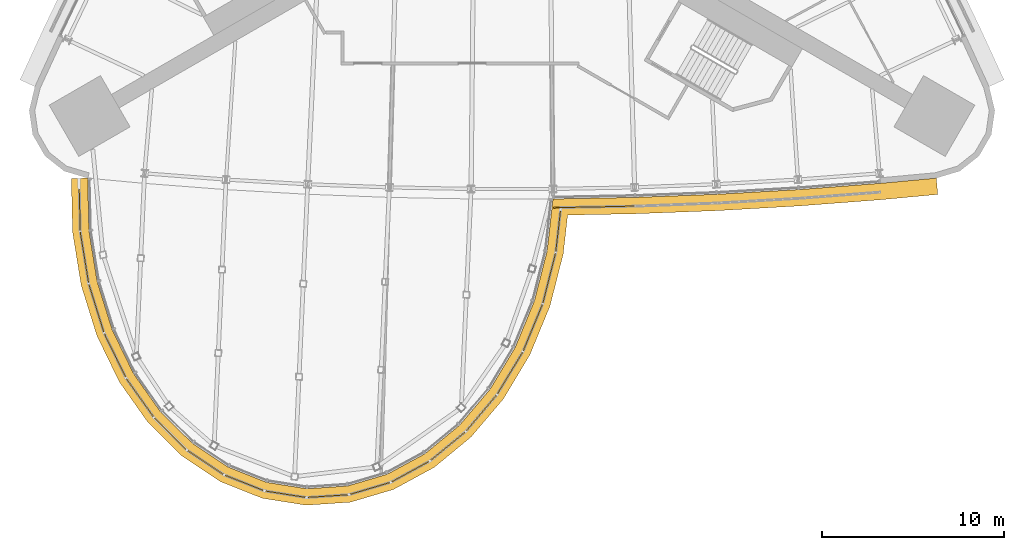
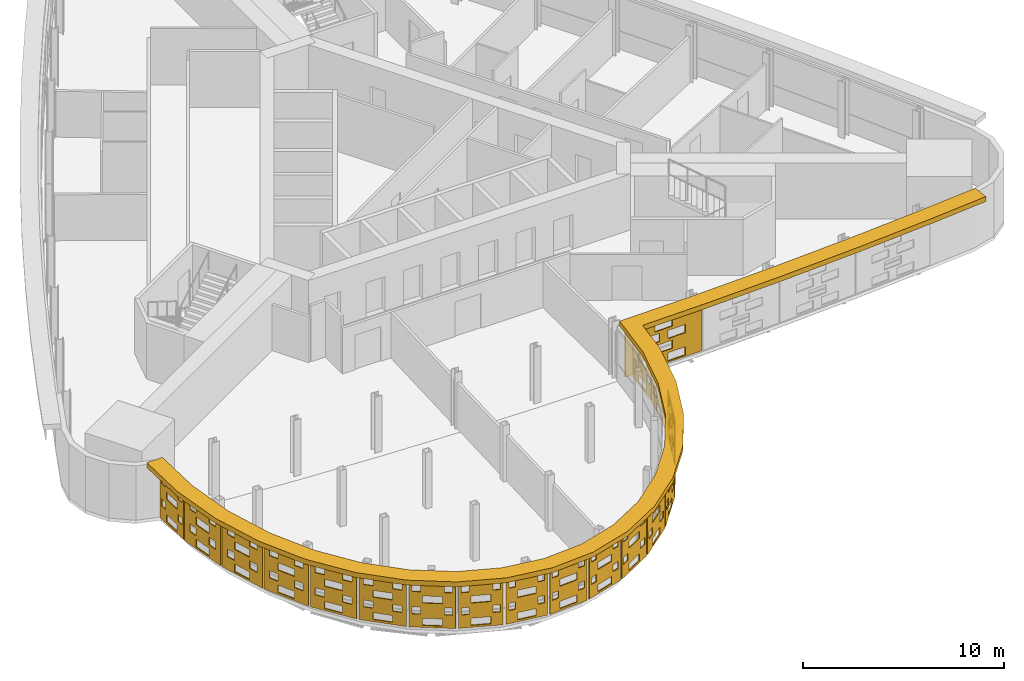
# One storey, part 14 of 16: 20 shading devices.
"""IFC4 building model written with IfcOpenShell, lengths in metres."""

from ifc_helpers import new_model, si_unit, direction, frame, origin, place, context, subcontext, project, spatial, polyline, outline, extrude, material, layer, layer_set, material_profile, profile_set, type_object, element, save


model = new_model("IFC4")

# Units and contexts
model_context = context("Model", 3, precision=1e-05, world=origin(), true_north=direction((0.0, 1.0)))
body_context = subcontext(model_context, "Body", "Model", "MODEL_VIEW")
ifc_project = project(units=[si_unit("LENGTHUNIT", "METRE"), si_unit("AREAUNIT", "SQUARE_METRE"), si_unit("VOLUMEUNIT", "CUBIC_METRE"), si_unit("PLANEANGLEUNIT", "RADIAN"), si_unit("MASSUNIT", "GRAM", prefix="KILO")], contexts=[model_context])

# Site, building, storey
site_placement = place(None, origin())
site = spatial("IfcSite", under=ifc_project, at=site_placement, CompositionType="ELEMENT")
building_placement = place(site_placement, origin())
building = spatial("IfcBuilding", under=site, at=building_placement, Name="Noor Cloister Tower", CompositionType="ELEMENT")
storey_placement = place(building_placement, frame((0.0, 0.0, 61.800048828125)))
storey = spatial("IfcBuildingStorey", under=building, at=storey_placement, Name="L15", CompositionType="ELEMENT", Elevation=61.800048828125)

# Shading devices
ifc_material_1 = material(Name="Limestone", Category="masonry")
ifc_material_profile = material_profile(ifc_material_1, outline(polyline([(-2.22998046875, -1.35009765625), (2.22998046875, -1.35009765625), (2.22998046875, 1.35009765625), (-2.22998046875, 1.35009765625), (-2.22998046875, -1.35009765625)]), holes=[polyline([(-1.25, -1.263427734375), (-0.25, -1.263427734375), (-0.25, -0.76171875), (-1.25, -0.76171875), (-1.25, -1.263427734375)]), polyline([(0.25, -1.263427734375), (1.25, -1.263427734375), (1.25, -0.76171875), (0.25, -0.76171875), (0.25, -1.263427734375)]), polyline([(-0.5, -0.58837890625), (0.5, -0.58837890625), (0.5, -0.086669921875), (-0.5, -0.086669921875), (-0.5, -0.58837890625)]), polyline([(-1.25, 0.086669921875), (-0.25, 0.086669921875), (-0.25, 0.58837890625), (-1.25, 0.58837890625), (-1.25, 0.086669921875)]), polyline([(0.25, 0.086669921875), (1.25, 0.086669921875), (1.25, 0.58837890625), (0.25, 0.58837890625), (0.25, 0.086669921875)]), polyline([(-0.5, 0.76171875), (0.5, 0.76171875), (0.5, 1.263427734375), (-0.5, 1.263427734375), (-0.5, 0.76171875)])]), Name="Woven screen 25 percent open")
ifc_profile_set = profile_set([ifc_material_profile], Name="Limestone")
shading_device_type_1 = type_object("IfcShadingDeviceType", Name="SCREEN woven limestone 25 percent open", PredefinedType="USERDEFINED", material=ifc_profile_set)
shading_device_1_placement = place(storey_placement, frame((4.508056640625, -18.35107421875, 1.849853515625), z_axis=(0.020321006241, -0.999793507033, 0.0), x_axis=(0.999793507033, 0.020321006241, 0.0)))
element("IfcShadingDevice", 1, at=shading_device_1_placement, inside=storey, type_object=shading_device_type_1, Name="SCREEN L15 19", ObjectType="SCREEN", PredefinedType="USERDEFINED", context=body_context, shape_type="SweptSolid", body=[
    extrude(outline(polyline([(-2.22998046875, -1.35009765625), (2.22998046875, -1.35009765625), (2.22998046875, 1.35009765625), (-2.22998046875, 1.35009765625), (-2.22998046875, -1.35009765625)]), holes=[polyline([(-1.25, -1.263427734375), (-0.25, -1.263427734375), (-0.25, -0.76171875), (-1.25, -0.76171875), (-1.25, -1.263427734375)]), polyline([(0.25, -1.263427734375), (1.25, -1.263427734375), (1.25, -0.76171875), (0.25, -0.76171875), (0.25, -1.263427734375)]), polyline([(-0.5, -0.58837890625), (0.5, -0.58837890625), (0.5, -0.086669921875), (-0.5, -0.086669921875), (-0.5, -0.58837890625)]), polyline([(-1.25, 0.086669921875), (-0.25, 0.086669921875), (-0.25, 0.58837890625), (-1.25, 0.58837890625), (-1.25, 0.086669921875)]), polyline([(0.25, 0.086669921875), (1.25, 0.086669921875), (1.25, 0.58837890625), (0.25, 0.58837890625), (0.25, 0.086669921875)]), polyline([(-0.5, 0.76171875), (0.5, 0.76171875), (0.5, 1.263427734375), (-0.5, 1.263427734375), (-0.5, 0.76171875)])]), origin(), (0.0, 0.0, 1.0), 0.06005859375),
])
ifc_material_2 = material(Name="Limestone", Category="masonry")
ifc_layer = layer(ifc_material_2, 0.06005859375)
ifc_layer_set = layer_set([ifc_layer], Name="SCREEN woven limestone pod 25 percent open")
shading_device_type_2 = type_object("IfcShadingDeviceType", Name="SCREEN woven limestone pod 25 percent open", PredefinedType="USERDEFINED", material=ifc_layer_set)
shading_device_2_placement = place(storey_placement, frame((-23.707275390625, -18.546142578125, 1.849853515625), z_axis=(-0.999702690643, -0.024382992455, 0.0), x_axis=(0.024382992455, -0.999702690643, 0.0)))
element("IfcShadingDevice", 2, at=shading_device_2_placement, inside=storey, type_object=shading_device_type_2, Name="SCREEN L15 1", ObjectType="SCREEN", PredefinedType="USERDEFINED", context=body_context, shape_type="SweptSolid", body=[
    extrude(outline(polyline([(-1.115966796875, -1.35009765625), (1.115966796875, -1.35009765625), (1.115966796875, 1.35009765625), (-1.115966796875, 1.35009765625), (-1.115966796875, -1.35009765625)]), holes=[polyline([(-0.5, -1.22998046875), (0.5, -1.22998046875), (0.5, -0.794921875), (-0.5, -0.794921875), (-0.5, -1.22998046875)]), polyline([(0.60009765625, -0.554931640625), (0.9658203125, -0.554931640625), (0.9658203125, -0.1201171875), (0.60009765625, -0.1201171875), (0.60009765625, -0.554931640625)]), polyline([(-0.9658203125, -0.554931640625), (-0.60009765625, -0.554931640625), (-0.60009765625, -0.1201171875), (-0.9658203125, -0.1201171875), (-0.9658203125, -0.554931640625)]), polyline([(-0.5, 0.1201171875), (0.5, 0.1201171875), (0.5, 0.554931640625), (-0.5, 0.554931640625), (-0.5, 0.1201171875)]), polyline([(0.60009765625, 0.794921875), (0.9658203125, 0.794921875), (0.9658203125, 1.22998046875), (0.60009765625, 1.22998046875), (0.60009765625, 0.794921875)]), polyline([(-0.9658203125, 0.794921875), (-0.60009765625, 0.794921875), (-0.60009765625, 1.22998046875), (-0.9658203125, 1.22998046875), (-0.9658203125, 0.794921875)])]), origin(), (0.0, 0.0, 1.0), 0.06005859375),
])
shading_device_3_placement = place(storey_placement, frame((-23.449462890625, -21.1435546875, 1.849853515625), z_axis=(-0.986721182076, -0.162423239848, 0.0), x_axis=(0.162423239848, -0.986721182076, 0.0)))
element("IfcShadingDevice", 3, at=shading_device_3_placement, inside=storey, type_object=shading_device_type_2, Name="SCREEN L15 2", ObjectType="SCREEN", PredefinedType="USERDEFINED", context=body_context, shape_type="SweptSolid", body=[
    extrude(outline(polyline([(-1.398681640625, -1.35009765625), (1.398681640625, -1.35009765625), (1.398681640625, 1.35009765625), (-1.398681640625, 1.35009765625), (-1.398681640625, -1.35009765625)]), holes=[polyline([(-0.5, -1.24853515625), (0.5, -1.24853515625), (0.5, -0.7763671875), (-0.5, -0.7763671875), (-0.5, -1.24853515625)]), polyline([(-1.0, -0.573486328125), (-0.5, -0.573486328125), (-0.5, -0.1015625), (-1.0, -0.1015625), (-1.0, -0.573486328125)]), polyline([(0.5, -0.573486328125), (1.0, -0.573486328125), (1.0, -0.1015625), (0.5, -0.1015625), (0.5, -0.573486328125)]), polyline([(-0.5, 0.1015625), (0.5, 0.1015625), (0.5, 0.573486328125), (-0.5, 0.573486328125), (-0.5, 0.1015625)]), polyline([(-1.0, 0.7763671875), (-0.5, 0.7763671875), (-0.5, 1.24853515625), (-1.0, 1.24853515625), (-1.0, 0.7763671875)]), polyline([(0.5, 0.7763671875), (1.0, 0.7763671875), (1.0, 1.24853515625), (0.5, 1.24853515625), (0.5, 0.7763671875)])]), origin(), (0.0, 0.0, 1.0), 0.06005859375),
])
shading_device_4_placement = place(storey_placement, frame((-22.796630859375, -23.929443359375, 1.849853515625), z_axis=(-0.954984766623, -0.296654842398, 0.0), x_axis=(0.296654842398, -0.954984766623, 0.0)))
element("IfcShadingDevice", 4, at=shading_device_4_placement, inside=storey, type_object=shading_device_type_2, Name="SCREEN L15 3", ObjectType="SCREEN", PredefinedType="USERDEFINED", context=body_context, shape_type="SweptSolid", body=[
    extrude(outline(polyline([(-1.36572265625, -1.35009765625), (1.36572265625, -1.35009765625), (1.36572265625, 1.35009765625), (-1.36572265625, 1.35009765625), (-1.36572265625, -1.35009765625)]), holes=[polyline([(-0.5, -1.242919921875), (0.5, -1.242919921875), (0.5, -0.781982421875), (-0.5, -0.781982421875), (-0.5, -1.242919921875)]), polyline([(-1.0, -0.56787109375), (-0.5, -0.56787109375), (-0.5, -0.10693359375), (-1.0, -0.10693359375), (-1.0, -0.56787109375)]), polyline([(0.5, -0.56787109375), (1.0, -0.56787109375), (1.0, -0.10693359375), (0.5, -0.10693359375), (0.5, -0.56787109375)]), polyline([(-0.5, 0.10693359375), (0.5, 0.10693359375), (0.5, 0.56787109375), (-0.5, 0.56787109375), (-0.5, 0.10693359375)]), polyline([(-1.0, 0.781982421875), (-0.5, 0.781982421875), (-0.5, 1.242919921875), (-1.0, 1.242919921875), (-1.0, 0.781982421875)]), polyline([(0.5, 0.781982421875), (1.0, 0.781982421875), (1.0, 1.242919921875), (0.5, 1.242919921875), (0.5, 0.781982421875)])]), origin(), (0.0, 0.0, 1.0), 0.06005859375),
])
shading_device_5_placement = place(storey_placement, frame((-21.773681640625, -26.520751953125, 1.849853515625), z_axis=(-0.898455643642, -0.43906429644, 0.0), x_axis=(0.43906429644, -0.898455643642, 0.0)))
element("IfcShadingDevice", 5, at=shading_device_5_placement, inside=storey, type_object=shading_device_type_2, Name="SCREEN L15 4", ObjectType="SCREEN", PredefinedType="USERDEFINED", context=body_context, shape_type="SweptSolid", body=[
    extrude(outline(polyline([(-1.3203125, -1.35009765625), (1.3203125, -1.35009765625), (1.3203125, 1.35009765625), (-1.3203125, 1.35009765625), (-1.3203125, -1.35009765625)]), holes=[polyline([(-0.5, -1.2353515625), (0.5, -1.2353515625), (0.5, -0.789794921875), (-0.5, -0.789794921875), (-0.5, -1.2353515625)]), polyline([(-1.0, -0.560302734375), (-0.5, -0.560302734375), (-0.5, -0.11474609375), (-1.0, -0.11474609375), (-1.0, -0.560302734375)]), polyline([(0.5, -0.560302734375), (1.0, -0.560302734375), (1.0, -0.11474609375), (0.5, -0.11474609375), (0.5, -0.560302734375)]), polyline([(-0.5, 0.11474609375), (0.5, 0.11474609375), (0.5, 0.560302734375), (-0.5, 0.560302734375), (-0.5, 0.11474609375)]), polyline([(-1.0, 0.789794921875), (-0.5, 0.789794921875), (-0.5, 1.2353515625), (-1.0, 1.2353515625), (-1.0, 0.789794921875)]), polyline([(0.5, 0.789794921875), (1.0, 0.789794921875), (1.0, 1.2353515625), (0.5, 1.2353515625), (0.5, 0.789794921875)])]), origin(), (0.0, 0.0, 1.0), 0.06005859375),
])
shading_device_6_placement = place(storey_placement, frame((-20.4091796875, -28.840087890625, 1.849853515625), z_axis=(-0.81538298462, -0.57892191908, 0.0), x_axis=(0.57892191908, -0.81538298462, 0.0)))
element("IfcShadingDevice", 6, at=shading_device_6_placement, inside=storey, type_object=shading_device_type_2, Name="SCREEN L15 5", ObjectType="SCREEN", PredefinedType="USERDEFINED", context=body_context, shape_type="SweptSolid", body=[
    extrude(outline(polyline([(-1.266357421875, -1.35009765625), (1.266357421875, -1.35009765625), (1.266357421875, 1.35009765625), (-1.266357421875, 1.35009765625), (-1.266357421875, -1.35009765625)]), holes=[polyline([(-0.5, -1.226318359375), (0.5, -1.226318359375), (0.5, -0.798828125), (-0.5, -0.798828125), (-0.5, -1.226318359375)]), polyline([(-1.0, -0.55126953125), (-0.5, -0.55126953125), (-0.5, -0.123779296875), (-1.0, -0.123779296875), (-1.0, -0.55126953125)]), polyline([(0.5, -0.55126953125), (1.0, -0.55126953125), (1.0, -0.123779296875), (0.5, -0.123779296875), (0.5, -0.55126953125)]), polyline([(-0.5, 0.123779296875), (0.5, 0.123779296875), (0.5, 0.55126953125), (-0.5, 0.55126953125), (-0.5, 0.123779296875)]), polyline([(-1.0, 0.798828125), (-0.5, 0.798828125), (-0.5, 1.226318359375), (-1.0, 1.226318359375), (-1.0, 0.798828125)]), polyline([(0.5, 0.798828125), (1.0, 0.798828125), (1.0, 1.226318359375), (0.5, 1.226318359375), (0.5, 0.798828125)])]), origin(), (0.0, 0.0, 1.0), 0.059814453125),
])
shading_device_7_placement = place(storey_placement, frame((-18.740966796875, -30.816650390625, 1.849853515625), z_axis=(-0.703031338833, -0.711158868762, 0.0), x_axis=(0.711158868762, -0.703031338833, 0.0)))
element("IfcShadingDevice", 7, at=shading_device_7_placement, inside=storey, type_object=shading_device_type_2, Name="SCREEN L15 6", ObjectType="SCREEN", PredefinedType="USERDEFINED", context=body_context, shape_type="SweptSolid", body=[
    extrude(outline(polyline([(-1.210205078125, -1.35009765625), (1.210205078125, -1.35009765625), (1.210205078125, 1.35009765625), (-1.210205078125, 1.35009765625), (-1.210205078125, -1.35009765625)]), holes=[polyline([(-0.5, -1.216796875), (0.5, -1.216796875), (0.5, -0.808349609375), (-0.5, -0.808349609375), (-0.5, -1.216796875)]), polyline([(-1.0, -0.541748046875), (-0.5, -0.541748046875), (-0.5, -0.13330078125), (-1.0, -0.13330078125), (-1.0, -0.541748046875)]), polyline([(0.5, -0.541748046875), (1.0, -0.541748046875), (1.0, -0.13330078125), (0.5, -0.13330078125), (0.5, -0.541748046875)]), polyline([(-0.5, 0.13330078125), (0.5, 0.13330078125), (0.5, 0.541748046875), (-0.5, 0.541748046875), (-0.5, 0.13330078125)]), polyline([(-1.0, 0.808349609375), (-0.5, 0.808349609375), (-0.5, 1.216796875), (-1.0, 1.216796875), (-1.0, 0.808349609375)]), polyline([(0.5, 0.808349609375), (1.0, 0.808349609375), (1.0, 1.216796875), (0.5, 1.216796875), (0.5, 0.808349609375)])]), origin(), (0.0, 0.0, 1.0), 0.06005859375),
])
shading_device_8_placement = place(storey_placement, frame((-16.816650390625, -32.388427734375, 1.849853515625), z_axis=(-0.552822691054, -0.833298909309, 0.0), x_axis=(0.833298909309, -0.552822691054, 0.0)))
element("IfcShadingDevice", 8, at=shading_device_8_placement, inside=storey, type_object=shading_device_type_2, Name="SCREEN L15 7", ObjectType="SCREEN", PredefinedType="USERDEFINED", context=body_context, shape_type="SweptSolid", body=[
    extrude(outline(polyline([(-1.15869140625, -1.35009765625), (1.15869140625, -1.35009765625), (1.15869140625, 1.35009765625), (-1.15869140625, 1.35009765625), (-1.15869140625, -1.35009765625)]), holes=[polyline([(-0.5, -1.227783203125), (0.5, -1.227783203125), (0.5, -0.79736328125), (-0.5, -0.79736328125), (-0.5, -1.227783203125)]), polyline([(0.60009765625, -0.552734375), (1.0087890625, -0.552734375), (1.0087890625, -0.122314453125), (0.60009765625, -0.122314453125), (0.60009765625, -0.552734375)]), polyline([(-1.0087890625, -0.552734375), (-0.60009765625, -0.552734375), (-0.60009765625, -0.122314453125), (-1.0087890625, -0.122314453125), (-1.0087890625, -0.552734375)]), polyline([(-0.5, 0.122314453125), (0.5, 0.122314453125), (0.5, 0.552734375), (-0.5, 0.552734375), (-0.5, 0.122314453125)]), polyline([(0.60009765625, 0.79736328125), (1.0087890625, 0.79736328125), (1.0087890625, 1.227783203125), (0.60009765625, 1.227783203125), (0.60009765625, 0.79736328125)]), polyline([(-1.0087890625, 0.79736328125), (-0.60009765625, 0.79736328125), (-0.60009765625, 1.227783203125), (-1.0087890625, 1.227783203125), (-1.0087890625, 0.79736328125)])]), origin(), (0.0, 0.0, 1.0), 0.06005859375),
])
shading_device_9_placement = place(storey_placement, frame((-14.693115234375, -33.50439453125, 1.849853515625), z_axis=(-0.370688243003, -0.928757356094, 0.0), x_axis=(0.928757356094, -0.370688243003, 0.0)))
element("IfcShadingDevice", 9, at=shading_device_9_placement, inside=storey, type_object=shading_device_type_2, Name="SCREEN L15 8", ObjectType="SCREEN", PredefinedType="USERDEFINED", context=body_context, shape_type="SweptSolid", body=[
    extrude(outline(polyline([(-1.118896484375, -1.35009765625), (1.118896484375, -1.35009765625), (1.118896484375, 1.35009765625), (-1.118896484375, 1.35009765625), (-1.118896484375, -1.35009765625)]), holes=[polyline([(-0.5, -1.229736328125), (0.5, -1.229736328125), (0.5, -0.795166015625), (-0.5, -0.795166015625), (-0.5, -1.229736328125)]), polyline([(0.60009765625, -0.5546875), (0.968994140625, -0.5546875), (0.968994140625, -0.1201171875), (0.60009765625, -0.1201171875), (0.60009765625, -0.5546875)]), polyline([(-0.968994140625, -0.5546875), (-0.60009765625, -0.5546875), (-0.60009765625, -0.1201171875), (-0.968994140625, -0.1201171875), (-0.968994140625, -0.5546875)]), polyline([(-0.5, 0.1201171875), (0.5, 0.1201171875), (0.5, 0.5546875), (-0.5, 0.5546875), (-0.5, 0.1201171875)]), polyline([(0.60009765625, 0.795166015625), (0.968994140625, 0.795166015625), (0.968994140625, 1.229736328125), (0.60009765625, 1.229736328125), (0.60009765625, 0.795166015625)]), polyline([(-0.968994140625, 0.795166015625), (-0.60009765625, 0.795166015625), (-0.60009765625, 1.229736328125), (-0.968994140625, 1.229736328125), (-0.968994140625, 0.795166015625)])]), origin(), (0.0, 0.0, 1.0), 0.059814453125),
])
shading_device_10_placement = place(storey_placement, frame((-12.435546875, -34.125244140625, 1.849853515625), z_axis=(-0.154500907682, -0.987992646494, 0.0), x_axis=(0.987992646494, -0.154500907682, 0.0)))
element("IfcShadingDevice", 10, at=shading_device_10_placement, inside=storey, type_object=shading_device_type_2, Name="SCREEN L15 9", ObjectType="SCREEN", PredefinedType="USERDEFINED", context=body_context, shape_type="SweptSolid", body=[
    extrude(outline(polyline([(-1.09716796875, -1.35009765625), (1.09716796875, -1.35009765625), (1.09716796875, 1.35009765625), (-1.09716796875, 1.35009765625), (-1.09716796875, -1.35009765625)]), holes=[polyline([(-0.5, -1.23095703125), (0.5, -1.23095703125), (0.5, -0.7939453125), (-0.5, -0.7939453125), (-0.5, -1.23095703125)]), polyline([(0.60009765625, -0.55615234375), (0.947265625, -0.55615234375), (0.947265625, -0.118896484375), (0.60009765625, -0.118896484375), (0.60009765625, -0.55615234375)]), polyline([(-0.947265625, -0.55615234375), (-0.60009765625, -0.55615234375), (-0.60009765625, -0.118896484375), (-0.947265625, -0.118896484375), (-0.947265625, -0.55615234375)]), polyline([(-0.5, 0.118896484375), (0.5, 0.118896484375), (0.5, 0.55615234375), (-0.5, 0.55615234375), (-0.5, 0.118896484375)]), polyline([(0.60009765625, 0.7939453125), (0.947265625, 0.7939453125), (0.947265625, 1.23095703125), (0.60009765625, 1.23095703125), (0.60009765625, 0.7939453125)]), polyline([(-0.947265625, 0.7939453125), (-0.60009765625, 0.7939453125), (-0.60009765625, 1.23095703125), (-0.947265625, 1.23095703125), (-0.947265625, 0.7939453125)])]), origin(), (0.0, 0.0, 1.0), 0.06005859375),
])
shading_device_11_placement = place(storey_placement, frame((-10.116455078125, -34.22900390625, 1.849853515625), z_axis=(0.064903515062, -0.997891544073, 0.0), x_axis=(0.997891544073, 0.064903515062, 0.0)))
element("IfcShadingDevice", 11, at=shading_device_11_placement, inside=storey, type_object=shading_device_type_2, Name="SCREEN L15 10", ObjectType="SCREEN", PredefinedType="USERDEFINED", context=body_context, shape_type="SweptSolid", body=[
    extrude(outline(polyline([(-1.09716796875, -1.35009765625), (1.09716796875, -1.35009765625), (1.09716796875, 1.35009765625), (-1.09716796875, 1.35009765625), (-1.09716796875, -1.35009765625)]), holes=[polyline([(-0.5, -1.23095703125), (0.5, -1.23095703125), (0.5, -0.7939453125), (-0.5, -0.7939453125), (-0.5, -1.23095703125)]), polyline([(0.60009765625, -0.55615234375), (0.947265625, -0.55615234375), (0.947265625, -0.118896484375), (0.60009765625, -0.118896484375), (0.60009765625, -0.55615234375)]), polyline([(-0.947265625, -0.55615234375), (-0.60009765625, -0.55615234375), (-0.60009765625, -0.118896484375), (-0.947265625, -0.118896484375), (-0.947265625, -0.55615234375)]), polyline([(-0.5, 0.118896484375), (0.5, 0.118896484375), (0.5, 0.55615234375), (-0.5, 0.55615234375), (-0.5, 0.118896484375)]), polyline([(0.60009765625, 0.7939453125), (0.947265625, 0.7939453125), (0.947265625, 1.23095703125), (0.60009765625, 1.23095703125), (0.60009765625, 0.7939453125)]), polyline([(-0.947265625, 0.7939453125), (-0.60009765625, 0.7939453125), (-0.60009765625, 1.23095703125), (-0.947265625, 1.23095703125), (-0.947265625, 0.7939453125)])]), origin(), (0.0, 0.0, 1.0), 0.060302734375),
])
shading_device_12_placement = place(storey_placement, frame((-7.8125, -33.812255859375, 1.849853515625), z_axis=(0.284364947432, -0.958716108487, 0.0), x_axis=(0.958716108487, 0.284364947432, 0.0)))
element("IfcShadingDevice", 12, at=shading_device_12_placement, inside=storey, type_object=shading_device_type_2, Name="SCREEN L15 11", ObjectType="SCREEN", PredefinedType="USERDEFINED", context=body_context, shape_type="SweptSolid", body=[
    extrude(outline(polyline([(-1.118896484375, -1.35009765625), (1.118896484375, -1.35009765625), (1.118896484375, 1.35009765625), (-1.118896484375, 1.35009765625), (-1.118896484375, -1.35009765625)]), holes=[polyline([(-0.5, -1.229736328125), (0.5, -1.229736328125), (0.5, -0.795166015625), (-0.5, -0.795166015625), (-0.5, -1.229736328125)]), polyline([(0.60009765625, -0.5546875), (0.968994140625, -0.5546875), (0.968994140625, -0.1201171875), (0.60009765625, -0.1201171875), (0.60009765625, -0.5546875)]), polyline([(-0.968994140625, -0.5546875), (-0.60009765625, -0.5546875), (-0.60009765625, -0.1201171875), (-0.968994140625, -0.1201171875), (-0.968994140625, -0.5546875)]), polyline([(-0.5, 0.1201171875), (0.5, 0.1201171875), (0.5, 0.5546875), (-0.5, 0.5546875), (-0.5, 0.1201171875)]), polyline([(0.60009765625, 0.795166015625), (0.968994140625, 0.795166015625), (0.968994140625, 1.229736328125), (0.60009765625, 1.229736328125), (0.60009765625, 0.795166015625)]), polyline([(-0.968994140625, 0.795166015625), (-0.60009765625, 0.795166015625), (-0.60009765625, 1.229736328125), (-0.968994140625, 1.229736328125), (-0.968994140625, 0.795166015625)])]), origin(), (0.0, 0.0, 1.0), 0.06005859375),
])
shading_device_13_placement = place(storey_placement, frame((-5.59765625, -32.890869140625, 1.849853515625), z_axis=(0.479421352547, -0.877584848731, 0.0), x_axis=(0.877584848731, 0.479421352547, 0.0)))
element("IfcShadingDevice", 13, at=shading_device_13_placement, inside=storey, type_object=shading_device_type_2, Name="SCREEN L15 12", ObjectType="SCREEN", PredefinedType="USERDEFINED", context=body_context, shape_type="SweptSolid", body=[
    extrude(outline(polyline([(-1.15869140625, -1.35009765625), (1.15869140625, -1.35009765625), (1.15869140625, 1.35009765625), (-1.15869140625, 1.35009765625), (-1.15869140625, -1.35009765625)]), holes=[polyline([(-0.5, -1.227783203125), (0.5, -1.227783203125), (0.5, -0.79736328125), (-0.5, -0.79736328125), (-0.5, -1.227783203125)]), polyline([(0.60009765625, -0.552734375), (1.0087890625, -0.552734375), (1.0087890625, -0.122314453125), (0.60009765625, -0.122314453125), (0.60009765625, -0.552734375)]), polyline([(-1.0087890625, -0.552734375), (-0.60009765625, -0.552734375), (-0.60009765625, -0.122314453125), (-1.0087890625, -0.122314453125), (-1.0087890625, -0.552734375)]), polyline([(-0.5, 0.122314453125), (0.5, 0.122314453125), (0.5, 0.552734375), (-0.5, 0.552734375), (-0.5, 0.122314453125)]), polyline([(0.60009765625, 0.79736328125), (1.0087890625, 0.79736328125), (1.0087890625, 1.227783203125), (0.60009765625, 1.227783203125), (0.60009765625, 0.79736328125)]), polyline([(-1.0087890625, 0.79736328125), (-0.60009765625, 0.79736328125), (-0.60009765625, 1.227783203125), (-1.0087890625, 1.227783203125), (-1.0087890625, 0.79736328125)])]), origin(), (0.0, 0.0, 1.0), 0.06005859375),
])
shading_device_14_placement = place(storey_placement, frame((-3.54052734375, -31.4970703125, 1.849853515625), z_axis=(0.634565916964, -0.77286874502, 0.0), x_axis=(0.77286874502, 0.634565916964, 0.0)))
element("IfcShadingDevice", 14, at=shading_device_14_placement, inside=storey, type_object=shading_device_type_2, Name="SCREEN L15 13", ObjectType="SCREEN", PredefinedType="USERDEFINED", context=body_context, shape_type="SweptSolid", body=[
    extrude(outline(polyline([(-1.210205078125, -1.35009765625), (1.210205078125, -1.35009765625), (1.210205078125, 1.35009765625), (-1.210205078125, 1.35009765625), (-1.210205078125, -1.35009765625)]), holes=[polyline([(-0.5, -1.216796875), (0.5, -1.216796875), (0.5, -0.808349609375), (-0.5, -0.808349609375), (-0.5, -1.216796875)]), polyline([(-1.0, -0.541748046875), (-0.5, -0.541748046875), (-0.5, -0.13330078125), (-1.0, -0.13330078125), (-1.0, -0.541748046875)]), polyline([(0.5, -0.541748046875), (1.0, -0.541748046875), (1.0, -0.13330078125), (0.5, -0.13330078125), (0.5, -0.541748046875)]), polyline([(-0.5, 0.13330078125), (0.5, 0.13330078125), (0.5, 0.541748046875), (-0.5, 0.541748046875), (-0.5, 0.13330078125)]), polyline([(-1.0, 0.808349609375), (-0.5, 0.808349609375), (-0.5, 1.216796875), (-1.0, 1.216796875), (-1.0, 0.808349609375)]), polyline([(0.5, 0.808349609375), (1.0, 0.808349609375), (1.0, 1.216796875), (0.5, 1.216796875), (0.5, 0.808349609375)])]), origin(), (0.0, 0.0, 1.0), 0.06005859375),
])
shading_device_15_placement = place(storey_placement, frame((-1.70263671875, -29.677490234375, 1.849853515625), z_axis=(0.76354031618, -0.645760161025, 0.0), x_axis=(0.645760161025, 0.76354031618, 0.0)))
element("IfcShadingDevice", 15, at=shading_device_15_placement, inside=storey, type_object=shading_device_type_2, Name="SCREEN L15 14", ObjectType="SCREEN", PredefinedType="USERDEFINED", context=body_context, shape_type="SweptSolid", body=[
    extrude(outline(polyline([(-1.266357421875, -1.35009765625), (1.266357421875, -1.35009765625), (1.266357421875, 1.35009765625), (-1.266357421875, 1.35009765625), (-1.266357421875, -1.35009765625)]), holes=[polyline([(-0.5, -1.226318359375), (0.5, -1.226318359375), (0.5, -0.798828125), (-0.5, -0.798828125), (-0.5, -1.226318359375)]), polyline([(-1.0, -0.55126953125), (-0.5, -0.55126953125), (-0.5, -0.123779296875), (-1.0, -0.123779296875), (-1.0, -0.55126953125)]), polyline([(0.5, -0.55126953125), (1.0, -0.55126953125), (1.0, -0.123779296875), (0.5, -0.123779296875), (0.5, -0.55126953125)]), polyline([(-0.5, 0.123779296875), (0.5, 0.123779296875), (0.5, 0.55126953125), (-0.5, 0.55126953125), (-0.5, 0.123779296875)]), polyline([(-1.0, 0.798828125), (-0.5, 0.798828125), (-0.5, 1.226318359375), (-1.0, 1.226318359375), (-1.0, 0.798828125)]), polyline([(0.5, 0.798828125), (1.0, 0.798828125), (1.0, 1.226318359375), (0.5, 1.226318359375), (0.5, 0.798828125)])]), origin(), (0.0, 0.0, 1.0), 0.06005859375),
])
shading_device_16_placement = place(storey_placement, frame((-0.135986328125, -27.489501953125, 1.849853515625), z_axis=(0.855690023312, -0.517488728384, 0.0), x_axis=(0.517488728384, 0.855690023312, 0.0)))
element("IfcShadingDevice", 16, at=shading_device_16_placement, inside=storey, type_object=shading_device_type_2, Name="SCREEN L15 15", ObjectType="SCREEN", PredefinedType="USERDEFINED", context=body_context, shape_type="SweptSolid", body=[
    extrude(outline(polyline([(-1.3203125, -1.35009765625), (1.3203125, -1.35009765625), (1.3203125, 1.35009765625), (-1.3203125, 1.35009765625), (-1.3203125, -1.35009765625)]), holes=[polyline([(-0.5, -1.2353515625), (0.5, -1.2353515625), (0.5, -0.789794921875), (-0.5, -0.789794921875), (-0.5, -1.2353515625)]), polyline([(-1.0, -0.560302734375), (-0.5, -0.560302734375), (-0.5, -0.11474609375), (-1.0, -0.11474609375), (-1.0, -0.560302734375)]), polyline([(0.5, -0.560302734375), (1.0, -0.560302734375), (1.0, -0.11474609375), (0.5, -0.11474609375), (0.5, -0.560302734375)]), polyline([(-0.5, 0.11474609375), (0.5, 0.11474609375), (0.5, 0.560302734375), (-0.5, 0.560302734375), (-0.5, 0.11474609375)]), polyline([(-1.0, 0.789794921875), (-0.5, 0.789794921875), (-0.5, 1.2353515625), (-1.0, 1.2353515625), (-1.0, 0.789794921875)]), polyline([(0.5, 0.789794921875), (1.0, 0.789794921875), (1.0, 1.2353515625), (0.5, 1.2353515625), (0.5, 0.789794921875)])]), origin(), (0.0, 0.0, 1.0), 0.059814453125),
])
shading_device_17_placement = place(storey_placement, frame((1.114501953125, -25.0, 1.849853515625), z_axis=(0.923917630863, -0.382591441855, 0.0), x_axis=(0.382591441855, 0.923917630863, 0.0)))
element("IfcShadingDevice", 17, at=shading_device_17_placement, inside=storey, type_object=shading_device_type_2, Name="SCREEN L15 16", ObjectType="SCREEN", PredefinedType="USERDEFINED", context=body_context, shape_type="SweptSolid", body=[
    extrude(outline(polyline([(-1.36572265625, -1.35009765625), (1.36572265625, -1.35009765625), (1.36572265625, 1.35009765625), (-1.36572265625, 1.35009765625), (-1.36572265625, -1.35009765625)]), holes=[polyline([(-0.5, -1.242919921875), (0.5, -1.242919921875), (0.5, -0.781982421875), (-0.5, -0.781982421875), (-0.5, -1.242919921875)]), polyline([(-1.0, -0.56787109375), (-0.5, -0.56787109375), (-0.5, -0.10693359375), (-1.0, -0.10693359375), (-1.0, -0.56787109375)]), polyline([(0.5, -0.56787109375), (1.0, -0.56787109375), (1.0, -0.10693359375), (0.5, -0.10693359375), (0.5, -0.56787109375)]), polyline([(-0.5, 0.10693359375), (0.5, 0.10693359375), (0.5, 0.56787109375), (-0.5, 0.56787109375), (-0.5, 0.10693359375)]), polyline([(-1.0, 0.781982421875), (-0.5, 0.781982421875), (-0.5, 1.242919921875), (-1.0, 1.242919921875), (-1.0, 0.781982421875)]), polyline([(0.5, 0.781982421875), (1.0, 0.781982421875), (1.0, 1.242919921875), (0.5, 1.242919921875), (0.5, 0.781982421875)])]), origin(), (0.0, 0.0, 1.0), 0.06005859375),
])
shading_device_18_placement = place(storey_placement, frame((2.013671875, -22.28369140625, 1.849853515625), z_axis=(0.969661287127, -0.244452425326, 0.0), x_axis=(0.244452425326, 0.969661287127, 0.0)))
element("IfcShadingDevice", 18, at=shading_device_18_placement, inside=storey, type_object=shading_device_type_2, Name="SCREEN L15 17", ObjectType="SCREEN", PredefinedType="USERDEFINED", context=body_context, shape_type="SweptSolid", body=[
    extrude(outline(polyline([(-1.398681640625, -1.35009765625), (1.398681640625, -1.35009765625), (1.398681640625, 1.35009765625), (-1.398681640625, 1.35009765625), (-1.398681640625, -1.35009765625)]), holes=[polyline([(-0.5, -1.24853515625), (0.5, -1.24853515625), (0.5, -0.7763671875), (-0.5, -0.7763671875), (-0.5, -1.24853515625)]), polyline([(-1.0, -0.573486328125), (-0.5, -0.573486328125), (-0.5, -0.1015625), (-1.0, -0.1015625), (-1.0, -0.573486328125)]), polyline([(0.5, -0.573486328125), (1.0, -0.573486328125), (1.0, -0.1015625), (0.5, -0.1015625), (0.5, -0.573486328125)]), polyline([(-0.5, 0.1015625), (0.5, 0.1015625), (0.5, 0.573486328125), (-0.5, 0.573486328125), (-0.5, 0.1015625)]), polyline([(-1.0, 0.7763671875), (-0.5, 0.7763671875), (-0.5, 1.24853515625), (-1.0, 1.24853515625), (-1.0, 0.7763671875)]), polyline([(0.5, 0.7763671875), (1.0, 0.7763671875), (1.0, 1.24853515625), (0.5, 1.24853515625), (0.5, 0.7763671875)])]), origin(), (0.0, 0.0, 1.0), 0.059814453125),
])
shading_device_19_placement = place(storey_placement, frame((2.50244140625, -19.719482421875, 1.849853515625), z_axis=(0.993480071526, -0.114005909847, 0.0), x_axis=(0.114005909847, 0.993480071526, 0.0)))
element("IfcShadingDevice", 19, at=shading_device_19_placement, inside=storey, type_object=shading_device_type_2, Name="SCREEN L15 18", ObjectType="SCREEN", PredefinedType="USERDEFINED", context=body_context, shape_type="SweptSolid", body=[
    extrude(outline(polyline([(-1.115966796875, -1.35009765625), (1.115966796875, -1.35009765625), (1.115966796875, 1.35009765625), (-1.115966796875, 1.35009765625), (-1.115966796875, -1.35009765625)]), holes=[polyline([(-0.5, -1.22998046875), (0.5, -1.22998046875), (0.5, -0.794921875), (-0.5, -0.794921875), (-0.5, -1.22998046875)]), polyline([(0.60009765625, -0.554931640625), (0.9658203125, -0.554931640625), (0.9658203125, -0.1201171875), (0.60009765625, -0.1201171875), (0.60009765625, -0.554931640625)]), polyline([(-0.9658203125, -0.554931640625), (-0.60009765625, -0.554931640625), (-0.60009765625, -0.1201171875), (-0.9658203125, -0.1201171875), (-0.9658203125, -0.554931640625)]), polyline([(-0.5, 0.1201171875), (0.5, 0.1201171875), (0.5, 0.554931640625), (-0.5, 0.554931640625), (-0.5, 0.1201171875)]), polyline([(0.60009765625, 0.794921875), (0.9658203125, 0.794921875), (0.9658203125, 1.22998046875), (0.60009765625, 1.22998046875), (0.60009765625, 0.794921875)]), polyline([(-0.9658203125, 0.794921875), (-0.60009765625, 0.794921875), (-0.60009765625, 1.22998046875), (-0.9658203125, 1.22998046875), (-0.9658203125, 0.794921875)])]), origin(), (0.0, 0.0, 1.0), 0.06005859375),
])
ifc_material_3 = material(Name="Limestone", Category="masonry")
shading_device_type_3 = type_object("IfcShadingDeviceType", Name="SUNSHADE limestone band 900", PredefinedType="USERDEFINED", material=ifc_material_3)
shading_device_20_placement = place(storey_placement, frame((0.0, 0.0, 3.300048828125)))
element("IfcShadingDevice", 20, at=shading_device_20_placement, inside=storey, type_object=shading_device_type_3, Name="SUNSHADE L15 2", ObjectType="SUNSHADE", PredefinedType="USERDEFINED", context=body_context, shape_type="SweptSolid", body=[
    extrude(outline(polyline([(-24.197021484375, -16.821044921875), (-24.129638671875, -19.753662109375), (-23.65771484375, -22.67919921875), (-22.7939453125, -25.451171875), (-21.560546875, -27.98876953125), (-19.989013671875, -30.2158203125), (-18.1201171875, -32.062744140625), (-16.00537109375, -33.4677734375), (-13.707763671875, -34.37939453125), (-11.302001953125, -34.760498046875), (-8.8720703125, -34.595703125), (-6.502197265625, -33.893310546875), (-4.270263671875, -32.682861328125), (-2.243896484375, -31.01025390625), (-0.4794921875, -28.932373046875), (0.9755859375, -26.515380859375), (2.08349609375, -23.83154296875), (2.815185546875, -20.9599609375), (3.0556640625, -18.828857421875), (6.77490234375, -18.7578125), (11.28857421875, -18.58544921875), (15.79833984375, -18.32666015625), (20.301025390625, -17.982177734375), (23.38037109375, -17.696533203125), (23.29736328125, -16.80029296875), (20.22509765625, -17.085205078125), (15.73828125, -17.4287109375), (11.24560546875, -17.686279296875), (6.7490234375, -17.858154296875), (2.25, -17.944091796875), (1.927734375, -20.797607421875), (1.227294921875, -23.54736328125), (0.169677734375, -26.109130859375), (-1.212890625, -28.40576171875), (-2.878173828125, -30.366943359375), (-4.77587890625, -31.933349609375), (-6.84814453125, -33.05712890625), (-9.0322265625, -33.70458984375), (-11.26171875, -33.855712890625), (-13.468505859375, -33.506103515625), (-15.5859375, -32.666015625), (-17.549560546875, -31.361328125), (-19.299560546875, -29.6318359375), (-20.783203125, -27.529541015625), (-21.954833984375, -25.11865234375), (-22.779296875, -22.472412109375), (-23.2314453125, -19.67138671875), (-23.29736328125, -16.80029296875), (-24.197021484375, -16.821044921875)])), origin(), (0.0, 0.0, 1.0), 0.2998046875),
])

save(model, "model.ifc")
